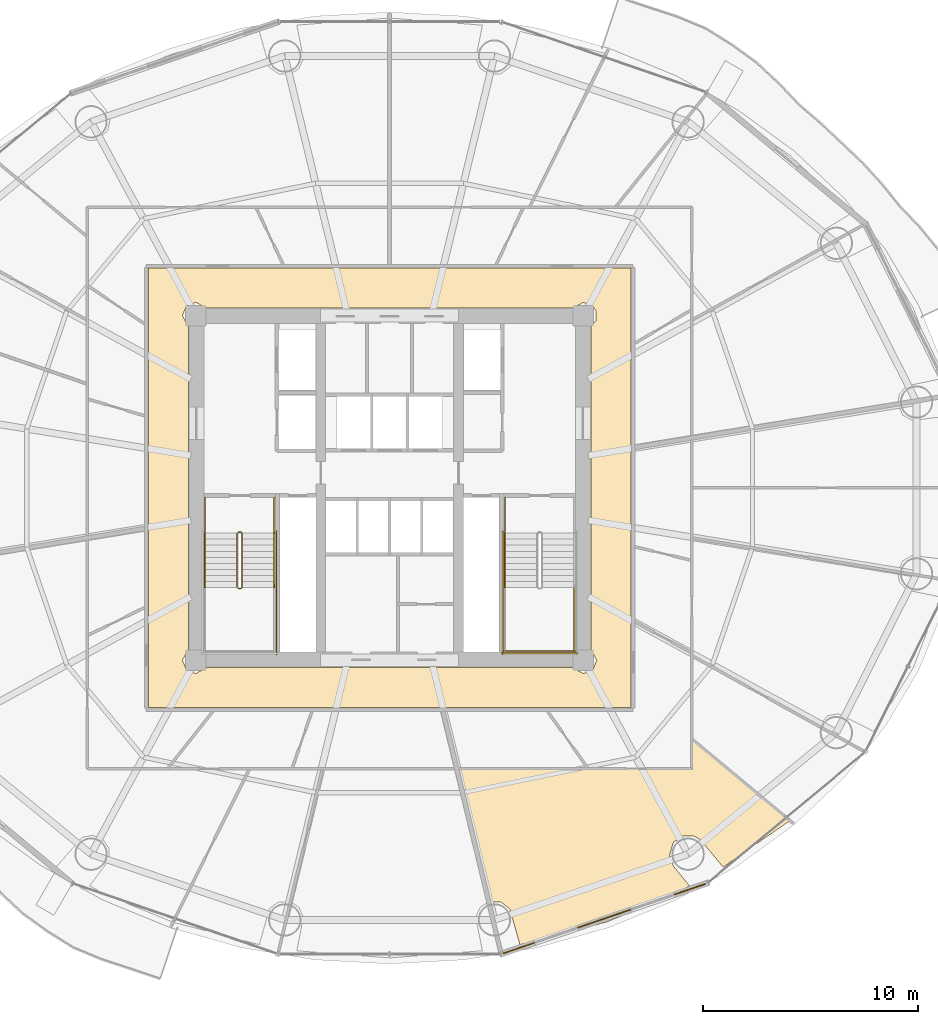
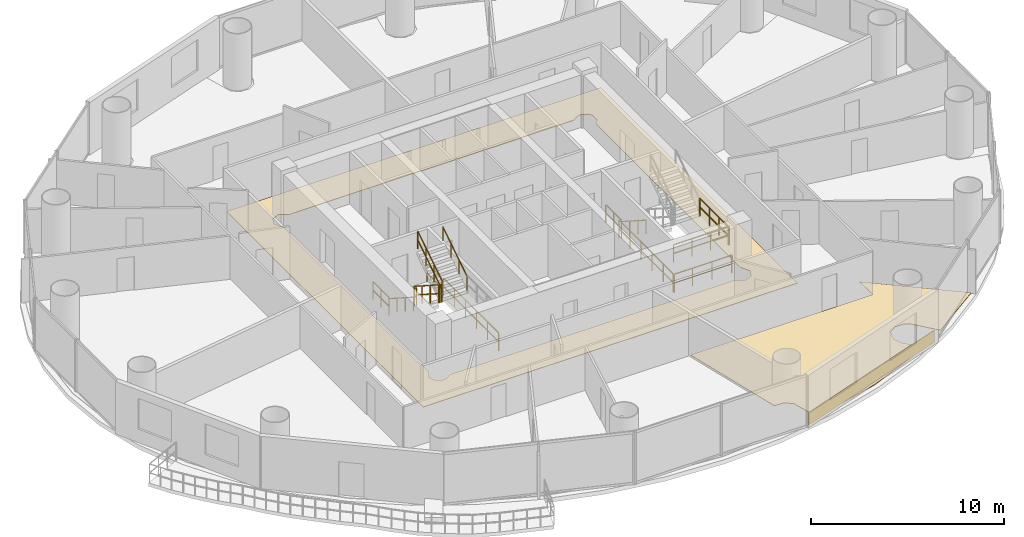
# One storey, part 27 of 29: 15 railings, 3 coverings.
"""IFC4 building model written with IfcOpenShell, lengths in metres."""

import ifcopenshell
import ifcopenshell.guid

model = None  # the IFC model being written
_history = None  # IfcOwnerHistory: only IFC2X3 demands one
_inside = {}  # id of a spatial element -> (the spatial element, [elements in it])
_under = {}  # id of a project, library or spatial element -> (it, [spatial elements below it])
_declared = {}  # id of a project -> (the project, [libraries it declares])
_typed = {}  # id of a type object -> (the type object, [elements of that type])
_made_of = {}  # id of a material, layer set ... -> (it, [elements and type objects made of it])


def new_model(schema):
    """Start an empty IFC model of exactly this schema.

    Asked for "IFC4X3", IfcOpenShell would pick the latest addendum, in which some entities
    have other attributes; the version numbers below select the first issue.
    IFC2X3 requires an IfcOwnerHistory on every rooted entity: one is made here for all.
    """
    global model, _history
    if schema == "IFC4X3":
        model = ifcopenshell.file(schema_version=(4, 3, 0, 0))
    else:
        model = ifcopenshell.file(schema=schema)
    _inside.clear()
    _under.clear()
    _declared.clear()
    _typed.clear()
    _made_of.clear()
    _history = None
    if model.schema == "IFC2X3":
        org = make("IfcOrganization", Name="unknown")
        user = make(
            "IfcPersonAndOrganization",
            ThePerson=make("IfcPerson", FamilyName="unknown"),
            TheOrganization=org,
        )
        app = make(
            "IfcApplication",
            ApplicationDeveloper=org,
            Version="unknown",
            ApplicationFullName="unknown",
            ApplicationIdentifier="unknown",
        )
        _history = make(
            "IfcOwnerHistory",
            OwningUser=user,
            OwningApplication=app,
            ChangeAction="ADDED",
            CreationDate=0,
        )
    return model


def make(cls, **values):
    """One entity of the class cls with the attributes given. An attribute that is None is left unset."""
    return model.create_entity(
        cls, **{name: value for name, value in values.items() if value is not None}
    )


def rooted(cls, **values):
    """An entity with a GlobalId (a new one), such as an element, a storey or a relation."""
    return make(cls, GlobalId=ifcopenshell.guid.new(), OwnerHistory=_history, **values)


def si_unit(unit_type, name, prefix=None):
    """IfcSIUnit, for example si_unit("LENGTHUNIT", "METRE", prefix="MILLI")."""
    return make("IfcSIUnit", UnitType=unit_type, Prefix=prefix, Name=name)


def assignment(units):
    """IfcUnitAssignment: the units of a project."""
    return None if units is None else make("IfcUnitAssignment", Units=units)


def point(xyz):
    """IfcCartesianPoint."""
    return None if xyz is None else make("IfcCartesianPoint", Coordinates=xyz)


def direction(xyz):
    """IfcDirection."""
    return None if xyz is None else make("IfcDirection", DirectionRatios=xyz)


def frame(location, z_axis=None, x_axis=None):
    """IfcAxis2Placement3D, a coordinate frame: its origin and axes. An axis left out is left unset."""
    return make(
        "IfcAxis2Placement3D",
        Location=point(location),
        Axis=direction(z_axis),
        RefDirection=direction(x_axis),
    )


def frame_2d(location, x_axis=None):
    """IfcAxis2Placement2D, a coordinate frame in the plane: its origin and x axis."""
    return make(
        "IfcAxis2Placement2D", Location=point(location), RefDirection=direction(x_axis)
    )


def origin():
    """The frame at (0, 0, 0) with its axes left unset."""
    return frame((0.0, 0.0, 0.0))


def origin_2d():
    """The frame at (0, 0) in the plane with its x axis left unset."""
    return frame_2d((0.0, 0.0))


def place(relative_to, where):
    """IfcLocalPlacement: puts the frame where relative to a parent placement (None: the world)."""
    return make(
        "IfcLocalPlacement", PlacementRelTo=relative_to, RelativePlacement=where
    )


def context(
    kind, dimensions, precision=None, world=None, true_north=None, identifier=None
):
    """IfcGeometricRepresentationContext, for example the 3D "Model" context."""
    return make(
        "IfcGeometricRepresentationContext",
        ContextIdentifier=identifier,
        ContextType=kind,
        CoordinateSpaceDimension=dimensions,
        Precision=precision,
        WorldCoordinateSystem=world,
        TrueNorth=true_north,
    )


def subcontext(parent, identifier, kind, view, scale=None):
    """IfcGeometricRepresentationSubContext, for example "Body" below "Model"."""
    return make(
        "IfcGeometricRepresentationSubContext",
        ContextIdentifier=identifier,
        ContextType=kind,
        ParentContext=parent,
        TargetScale=scale,
        TargetView=view,
    )


def project(units=None, contexts=None):
    """IfcProject with its units and contexts."""
    return rooted(
        "IfcProject",
        Name="project",
        RepresentationContexts=contexts,
        UnitsInContext=assignment(units),
    )


def spatial(cls, under=None, at=None, **own):
    """A site, building, storey or space (cls), placed at a placement, below another one or the project."""
    s = rooted(cls, ObjectPlacement=at, **own)
    if under is not None:
        _under.setdefault(under.id(), (under, []))[1].append(s)
    return s


def polyline(points):
    """IfcPolyline through the points."""
    return make("IfcPolyline", Points=[point(p) for p in points])


def profile(cls, at=None, kind="AREA", **sizes):
    """A parametric profile (cls). Its sizes go by their IFC names, for example OverallWidth=200.0."""
    return make(cls, ProfileType=kind, Position=at, **sizes)


def rectangle(**sizes):
    """IfcRectangleProfileDef."""
    return profile("IfcRectangleProfileDef", **sizes)


def outline(outer, holes=None, kind="AREA"):
    """IfcArbitraryClosedProfileDef: a profile drawn as a closed curve; with holes, ...WithVoids."""
    if holes is None:
        return make("IfcArbitraryClosedProfileDef", ProfileType=kind, OuterCurve=outer)
    return make(
        "IfcArbitraryProfileDefWithVoids",
        ProfileType=kind,
        OuterCurve=outer,
        InnerCurves=holes,
    )


def extrude(swept, where, along, depth):
    """IfcExtrudedAreaSolid: the profile swept, set in the frame where, extruded along a direction by depth."""
    return make(
        "IfcExtrudedAreaSolid",
        SweptArea=swept,
        Position=where,
        ExtrudedDirection=direction(along),
        Depth=depth,
    )


def shape(context_of_items, identifier, shape_type, items):
    """IfcShapeRepresentation: the items that make up one representation, for example the "Body"."""
    return make(
        "IfcShapeRepresentation",
        ContextOfItems=context_of_items,
        RepresentationIdentifier=identifier,
        RepresentationType=shape_type,
        Items=items,
    )


def source(mapping_origin, context_of_items, identifier, shape_type, items):
    """IfcRepresentationMap: a shape defined once, which mapped items show again and again."""
    return make(
        "IfcRepresentationMap",
        MappingOrigin=mapping_origin,
        MappedRepresentation=shape(context_of_items, identifier, shape_type, items),
    )


def transform(
    local_origin,
    x_axis=None,
    y_axis=None,
    z_axis=None,
    scale=None,
    scale2=None,
    scale3=None,
    uniform=True,
):
    """IfcCartesianTransformationOperator3D, or its non-uniform kind. x_axis, y_axis, z_axis: its Axis1, 2, 3."""
    if uniform:
        return make(
            "IfcCartesianTransformationOperator3D",
            Axis1=direction(x_axis),
            Axis2=direction(y_axis),
            LocalOrigin=point(local_origin),
            Scale=scale,
            Axis3=direction(z_axis),
        )
    return make(
        "IfcCartesianTransformationOperator3DnonUniform",
        Axis1=direction(x_axis),
        Axis2=direction(y_axis),
        LocalOrigin=point(local_origin),
        Scale=scale,
        Axis3=direction(z_axis),
        Scale2=scale2,
        Scale3=scale3,
    )


def mapped(mapping_source, mapping_target):
    """IfcMappedItem: shows the shape of a source again, moved by a transform."""
    return make(
        "IfcMappedItem", MappingSource=mapping_source, MappingTarget=mapping_target
    )


def material(Name=None, Category=None):
    """IfcMaterial."""
    return make("IfcMaterial", Name=Name, Category=Category)


def layer(
    of_material, thickness, ventilated=None, Name=None, Category=None, Priority=None
):
    """IfcMaterialLayer: one layer of a wall or slab, of a material (None: an air gap)."""
    return make(
        "IfcMaterialLayer",
        Material=of_material,
        LayerThickness=thickness,
        IsVentilated=ventilated,
        Name=Name,
        Category=Category,
        Priority=Priority,
    )


def layer_set(layers, Name=None):
    """IfcMaterialLayerSet."""
    return make("IfcMaterialLayerSet", MaterialLayers=layers, LayerSetName=Name)


def made_of(thing, what):
    """Note that an element or type object is made of a material, layer set ...; save() writes the relation."""
    if what is not None:
        _made_of.setdefault(what.id(), (what, []))[1].append(thing)
    return thing


def type_object(cls, material=None, **own):
    """A type object (cls), such as IfcWallType, which elements share."""
    return made_of(rooted(cls, **own), material)


def element(
    cls,
    number,
    at=None,
    inside=None,
    cuts=None,
    type_object=None,
    material=None,
    context=None,
    identifier="Body",
    shape_type=None,
    held_by="IfcProductDefinitionShape",
    body=None,
    shapes=None,
    **own,
):
    """One element of the class cls, such as IfcWall. Its Tag is "e" and its number.

    at: its placement. inside: the storey or other place that contains it. cuts: it is an
    opening in that element (IfcRelVoidsElement). A single representation is given by context,
    identifier, shape_type and body (its items); several are given by shapes. held_by: the class
    of the entity that holds the representations. save() writes the other relations.
    """
    e = rooted(cls, Tag="e%d" % number, ObjectPlacement=at, **own)
    if body is not None:
        shapes = [shape(context, identifier, shape_type, body)]
    if shapes is not None:
        e.Representation = make(held_by, Representations=shapes)
    if inside is not None:
        _inside.setdefault(inside.id(), (inside, []))[1].append(e)
    if cuts is not None:
        rooted(
            "IfcRelVoidsElement", RelatingBuildingElement=cuts, RelatedOpeningElement=e
        )
    if type_object is not None:
        _typed.setdefault(type_object.id(), (type_object, []))[1].append(e)
    return made_of(e, material)


def aggregate(whole, parts):
    """IfcRelAggregates: a whole, such as a stair, and the parts it consists of."""
    return rooted("IfcRelAggregates", RelatingObject=whole, RelatedObjects=parts)


def save(model, path):
    """Write the relations noted so far, then the file.

    IfcRelAggregates (storeys below a building ...), IfcRelContainedInSpatialStructure (elements
    in a storey), IfcRelDefinesByType, IfcRelAssociatesMaterial and IfcRelDeclares: one each for
    every whole, place, type object, material and project.
    """
    for whole, parts in _under.values():
        aggregate(whole, parts)
    for where, things in _inside.values():
        rooted(
            "IfcRelContainedInSpatialStructure",
            RelatedElements=things,
            RelatingStructure=where,
        )
    for kind, things in _typed.values():
        rooted("IfcRelDefinesByType", RelatedObjects=things, RelatingType=kind)
    for what, things in _made_of.values():
        rooted("IfcRelAssociatesMaterial", RelatedObjects=things, RelatingMaterial=what)
    for by, libraries in _declared.values():
        rooted("IfcRelDeclares", RelatingContext=by, RelatedDefinitions=libraries)
    model.write(path)


model = new_model("IFC4")

# Units and contexts
model_context = context("Model", 3, precision=1e-05, world=origin(), true_north=direction((-0.2419218956, 0.970295726276)))
body_context = subcontext(model_context, "Body", "Model", "MODEL_VIEW")
ifc_project = project(units=[si_unit("LENGTHUNIT", "METRE"), si_unit("AREAUNIT", "SQUARE_METRE"), si_unit("VOLUMEUNIT", "CUBIC_METRE"), si_unit("PLANEANGLEUNIT", "RADIAN"), si_unit("MASSUNIT", "GRAM", prefix="KILO")], contexts=[model_context])

# Site, building, storey
site_placement = place(None, origin())
site = spatial("IfcSite", under=ifc_project, at=site_placement, CompositionType="ELEMENT")
building_placement = place(site_placement, origin())
building = spatial("IfcBuilding", under=site, at=building_placement, Name="Cobrevalo Terracotta Tower", CompositionType="ELEMENT")
storey_placement = place(building_placement, frame((0.0, 0.0, 87.0)))
storey = spatial("IfcBuildingStorey", under=building, at=storey_placement, Name="L22", CompositionType="ELEMENT", Elevation=87.0)

# Coverings
ifc_material_1 = material(Name="Engineered Brazilian hardwood flooring", Category="wood")
ifc_layer_1 = layer(ifc_material_1, 0.028076171875)
ifc_layer_set_1 = layer_set([ifc_layer_1], Name="Engineered Brazilian hardwood flooring")
covering_type_1 = type_object("IfcCoveringType", Name="Engineered Hardwood Suite Flooring 28", PredefinedType="FLOORING", material=ifc_layer_set_1)
covering_1_placement = place(storey_placement, origin())
element("IfcCovering", 1, at=covering_1_placement, inside=storey, type_object=covering_type_1, Name="Flat L22D Penthouse Living and Dining Room floor finish", PredefinedType="FLOORING", context=body_context, shape_type="SweptSolid", body=[
    extrude(outline(polyline([(53.488525390625, 9.193359375), (52.422119140625, 10.474853515625), (52.11962890625, 10.6376953125), (51.608642578125, 10.639404296875), (51.18310546875, 10.35693359375), (50.9853515625, 9.713134765625), (51.1787109375, 9.2412109375), (51.92431640625, 8.32666015625), (51.161376953125, 7.904052734375), (48.073486328125, 6.641357421875), (44.05078125, 5.59814453125), (43.578125, 7.261962890625), (43.170166015625, 7.5693359375), (42.62109375, 7.584716796875), (41.146240234375, 13.7451171875), (52.054931640625, 13.7451171875), (52.054931640625, 15.0966796875), (56.57275390625, 11.34326171875), (53.488525390625, 9.193359375)])), origin(), (0.0, 0.0, 1.0), 0.030029296875),
])
ifc_material_2 = material(Name="Honed terracotta and granite tile", Category="masonry")
ifc_layer_2 = layer(ifc_material_2, 0.034912109375)
ifc_layer_set_2 = layer_set([ifc_layer_2], Name="Honed terracotta and granite tile")
covering_type_2 = type_object("IfcCoveringType", Name="Honed Terracotta & Granite Interior Flooring 35", PredefinedType="FLOORING", material=ifc_layer_set_2)
covering_2_placement = place(storey_placement, origin())
element("IfcCovering", 2, at=covering_2_placement, inside=storey, type_object=covering_type_2, Name="L22 Residential Floor Corridor floor finish", PredefinedType="FLOORING", context=body_context, shape_type="SweptSolid", body=[
    extrude(outline(polyline([(49.205078125, 37.0048828125), (49.205078125, 16.594970703125), (26.794921875, 16.594970703125), (26.794921875, 37.0048828125), (49.205078125, 37.0048828125)]), holes=[polyline([(47.344970703125, 34.298828125), (47.5732421875, 34.5625), (47.5732421875, 35.037353515625), (47.438720703125, 35.23876953125), (47.0, 35.42041015625), (46.498779296875, 35.14501953125), (29.501220703125, 35.14501953125), (29.0, 35.42041015625), (28.561279296875, 35.23876953125), (28.379638671875, 34.800048828125), (28.655029296875, 34.298828125), (28.655029296875, 19.30126953125), (28.379638671875, 18.800048828125), (28.561279296875, 18.361328125), (29.0, 18.1796875), (29.501220703125, 18.455078125), (46.498779296875, 18.455078125), (47.0, 18.1796875), (47.438720703125, 18.361328125), (47.620361328125, 18.800048828125), (47.344970703125, 19.30126953125), (47.344970703125, 34.298828125)])]), origin(), (0.0, 0.0, 1.0), 0.030029296875),
])

# Railings
ifc_material_3 = material(Name="Brushed stainless steel", Category="steel")
railing_type_1 = type_object("IfcRailingType", Name="Stainless Steel Stair Handrail 900", PredefinedType="HANDRAIL", material=ifc_material_3)
railing_1_placement = place(storey_placement, frame((29.425048828125, 24.699951171875, 0.179931640625)))
element("IfcRailing", 3, at=railing_1_placement, inside=storey, type_object=railing_type_1, Name="L22 ST-1 stair handrail 1", PredefinedType="HANDRAIL", context=body_context, shape_type="SweptSolid", body=[
    extrude(rectangle(XDim=0.048095703125, YDim=0.048095703125, at=origin_2d()), frame((0.0, 0.0, 0.8759765625), z_axis=(0.0, -0.841162588446, 0.540782303519), x_axis=(1.0, 0.0, 0.0)), (0.0, 0.0, 1.0), 2.995849609375),
    extrude(rectangle(XDim=0.0419921875, YDim=0.0419921875, at=origin_2d()), origin(), (0.0, 0.0, 1.0), 0.851806640625),
    extrude(rectangle(XDim=0.0419921875, YDim=0.0419921875, at=origin_2d()), frame((0.0, -0.840087890625, 0.5400390625)), (0.0, 0.0, 1.0), 0.851806640625),
    extrude(rectangle(XDim=0.0419921875, YDim=0.0419921875, at=origin_2d()), frame((0.0, -1.679931640625, 1.080078125)), (0.0, 0.0, 1.0), 0.851806640625),
    extrude(rectangle(XDim=0.0419921875, YDim=0.0419921875, at=origin_2d()), frame((0.0, -2.52001953125, 1.6201171875)), (0.0, 0.0, 1.0), 0.851806640625),
])
railing_2_placement = place(storey_placement, frame((32.64501953125, 22.179931640625, 1.97998046875)))
element("IfcRailing", 4, at=railing_2_placement, inside=storey, type_object=railing_type_1, Name="L22 ST-1 stair handrail 2", PredefinedType="HANDRAIL", context=body_context, shape_type="SweptSolid", body=[
    extrude(rectangle(XDim=0.048095703125, YDim=0.048095703125, at=origin_2d()), frame((0.0, 0.0, 0.8759765625), z_axis=(0.0, 0.841162588446, 0.540782303519), x_axis=(-1.0, 0.0, 0.0)), (0.0, 0.0, 1.0), 2.995849609375),
    extrude(rectangle(XDim=0.0419921875, YDim=0.0419921875, at=origin_2d()), origin(), (0.0, 0.0, 1.0), 0.851806640625),
    extrude(rectangle(XDim=0.0419921875, YDim=0.0419921875, at=origin_2d()), frame((0.0, 0.840087890625, 0.5400390625)), (0.0, 0.0, 1.0), 0.851806640625),
    extrude(rectangle(XDim=0.0419921875, YDim=0.0419921875, at=origin_2d()), frame((0.0, 1.679931640625, 1.080078125)), (0.0, 0.0, 1.0), 0.851806640625),
    extrude(rectangle(XDim=0.0419921875, YDim=0.0419921875, at=origin_2d()), frame((0.0, 2.52001953125, 1.6201171875)), (0.0, 0.0, 1.0), 0.851806640625),
])
railing_3_placement = place(storey_placement, frame((43.35498046875, 24.699951171875, 0.179931640625)))
element("IfcRailing", 5, at=railing_3_placement, inside=storey, type_object=railing_type_1, Name="L22 ST-2 stair handrail 1", PredefinedType="HANDRAIL", context=body_context, shape_type="SweptSolid", body=[
    extrude(rectangle(XDim=0.048095703125, YDim=0.048095703125, at=origin_2d()), frame((0.0, 0.0, 0.8759765625), z_axis=(0.0, -0.841162588446, 0.540782303519), x_axis=(1.0, 0.0, 0.0)), (0.0, 0.0, 1.0), 2.995849609375),
    extrude(rectangle(XDim=0.0419921875, YDim=0.0419921875, at=origin_2d()), origin(), (0.0, 0.0, 1.0), 0.851806640625),
    extrude(rectangle(XDim=0.0419921875, YDim=0.0419921875, at=origin_2d()), frame((0.0, -0.840087890625, 0.5400390625)), (0.0, 0.0, 1.0), 0.851806640625),
    extrude(rectangle(XDim=0.0419921875, YDim=0.0419921875, at=origin_2d()), frame((0.0, -1.679931640625, 1.080078125)), (0.0, 0.0, 1.0), 0.851806640625),
    extrude(rectangle(XDim=0.0419921875, YDim=0.0419921875, at=origin_2d()), frame((0.0, -2.52001953125, 1.6201171875)), (0.0, 0.0, 1.0), 0.851806640625),
])
ifc_material_4 = material(Name="Painted galvanized steel", Category="steel")
railing_type_2 = type_object("IfcRailingType", Name="Stair Well Guard Balustrade 1150", PredefinedType="GUARDRAIL", material=ifc_material_4)
railing_4_placement = place(storey_placement, frame((30.925048828125, 24.699951171875, 0.179931640625)))
element("IfcRailing", 6, at=railing_4_placement, inside=storey, type_object=railing_type_2, Name="L22 ST-1 stair guard 1", PredefinedType="GUARDRAIL", context=body_context, shape_type="SweptSolid", body=[
    extrude(rectangle(XDim=0.048095703125, YDim=0.048095703125, at=origin_2d()), frame((0.0, 0.0, 1.1259765625), z_axis=(0.0, -0.841162588446, 0.540782303519), x_axis=(1.0, 0.0, 0.0)), (0.0, 0.0, 1.0), 2.995849609375),
    extrude(rectangle(XDim=0.048095703125, YDim=0.048095703125, at=origin_2d()), frame((0.0, 0.0, 0.574951171875), z_axis=(0.0, -0.841162588446, 0.540782303519), x_axis=(1.0, 0.0, 0.0)), (0.0, 0.0, 1.0), 2.995849609375),
    extrude(rectangle(XDim=0.0419921875, YDim=0.0419921875, at=origin_2d()), origin(), (0.0, 0.0, 1.0), 1.101806640625),
    extrude(rectangle(XDim=0.0419921875, YDim=0.0419921875, at=origin_2d()), frame((0.0, -0.840087890625, 0.5400390625)), (0.0, 0.0, 1.0), 1.101806640625),
    extrude(rectangle(XDim=0.0419921875, YDim=0.0419921875, at=origin_2d()), frame((0.0, -1.679931640625, 1.080078125)), (0.0, 0.0, 1.0), 1.101806640625),
    extrude(rectangle(XDim=0.0419921875, YDim=0.0419921875, at=origin_2d()), frame((0.0, -2.52001953125, 1.6201171875)), (0.0, 0.0, 1.0), 1.101806640625),
])
railing_5_placement = place(storey_placement, frame((30.97509765625, 22.1298828125, 1.800048828125)))
element("IfcRailing", 7, at=railing_5_placement, inside=storey, type_object=railing_type_2, Name="L22 ST-1 stair guard 2", PredefinedType="GUARDRAIL", context=body_context, shape_type="SweptSolid", body=[
    extrude(rectangle(XDim=0.048095703125, YDim=0.048095703125, at=origin_2d()), frame((0.0, 0.0, 1.1259765625), z_axis=(1.0, 0.0, 0.0), x_axis=(0.0, 1.0, 0.0)), (0.0, 0.0, 1.0), 0.119873046875),
    extrude(rectangle(XDim=0.048095703125, YDim=0.048095703125, at=origin_2d()), frame((0.0, 0.0, 0.574951171875), z_axis=(1.0, 0.0, 0.0), x_axis=(0.0, 1.0, 0.0)), (0.0, 0.0, 1.0), 0.119873046875),
    extrude(rectangle(XDim=0.0419921875, YDim=0.0419921875, at=origin_2d()), origin(), (0.0, 0.0, 1.0), 1.101806640625),
    extrude(rectangle(XDim=0.0419921875, YDim=0.0419921875, at=origin_2d()), frame((0.119873046875, 0.0, 0.0)), (0.0, 0.0, 1.0), 1.101806640625),
])
railing_6_placement = place(storey_placement, frame((31.14501953125, 22.179931640625, 1.97998046875)))
element("IfcRailing", 8, at=railing_6_placement, inside=storey, type_object=railing_type_2, Name="L22 ST-1 stair guard 6", PredefinedType="GUARDRAIL", context=body_context, shape_type="SweptSolid", body=[
    extrude(rectangle(XDim=0.048095703125, YDim=0.048095703125, at=origin_2d()), frame((0.0, 0.0, 1.1259765625), z_axis=(0.0, 0.841162588446, 0.540782303519), x_axis=(-1.0, 0.0, 0.0)), (0.0, 0.0, 1.0), 2.995849609375),
    extrude(rectangle(XDim=0.048095703125, YDim=0.048095703125, at=origin_2d()), frame((0.0, 0.0, 0.574951171875), z_axis=(0.0, 0.841162588446, 0.540782303519), x_axis=(-1.0, 0.0, 0.0)), (0.0, 0.0, 1.0), 2.995849609375),
    extrude(rectangle(XDim=0.0419921875, YDim=0.0419921875, at=origin_2d()), origin(), (0.0, 0.0, 1.0), 1.101806640625),
    extrude(rectangle(XDim=0.0419921875, YDim=0.0419921875, at=origin_2d()), frame((0.0, 0.840087890625, 0.5400390625)), (0.0, 0.0, 1.0), 1.101806640625),
    extrude(rectangle(XDim=0.0419921875, YDim=0.0419921875, at=origin_2d()), frame((0.0, 1.679931640625, 1.080078125)), (0.0, 0.0, 1.0), 1.101806640625),
    extrude(rectangle(XDim=0.0419921875, YDim=0.0419921875, at=origin_2d()), frame((0.0, 2.52001953125, 1.6201171875)), (0.0, 0.0, 1.0), 1.101806640625),
])
railing_7_placement = place(storey_placement, frame((30.97509765625, 24.75, 0.0)))
element("IfcRailing", 9, at=railing_7_placement, inside=storey, type_object=railing_type_2, Name="L22 ST-1 stair guard 7", PredefinedType="GUARDRAIL", context=body_context, shape_type="SweptSolid", body=[
    extrude(rectangle(XDim=0.048095703125, YDim=0.048095703125, at=origin_2d()), frame((0.0, 0.0, 1.1259765625), z_axis=(1.0, 0.0, 0.0), x_axis=(0.0, 1.0, 0.0)), (0.0, 0.0, 1.0), 0.119873046875),
    extrude(rectangle(XDim=0.048095703125, YDim=0.048095703125, at=origin_2d()), frame((0.0, 0.0, 0.574951171875), z_axis=(1.0, 0.0, 0.0), x_axis=(0.0, 1.0, 0.0)), (0.0, 0.0, 1.0), 0.119873046875),
    extrude(rectangle(XDim=0.0419921875, YDim=0.0419921875, at=origin_2d()), origin(), (0.0, 0.0, 1.0), 1.101806640625),
    extrude(rectangle(XDim=0.0419921875, YDim=0.0419921875, at=origin_2d()), frame((0.119873046875, 0.0, 0.0)), (0.0, 0.0, 1.0), 1.101806640625),
])
for number, where, name in (
    (10, (29.425048828125, 26.35009765625, 0.0), "L22 ST-1 stair guard 8"),
    (11, (32.64501953125, 26.35009765625, 0.0), "L22 ST-1 stair guard 9"),
):
    element("IfcRailing", number, at=place(storey_placement, frame(where)), inside=storey, type_object=railing_type_2, Name=name, PredefinedType="GUARDRAIL", context=body_context, shape_type="SweptSolid", body=[
        extrude(rectangle(XDim=0.048095703125, YDim=0.048095703125, at=origin_2d()), frame((0.0, 0.0, 1.1259765625), z_axis=(0.0, -1.0, 0.0), x_axis=(1.0, 0.0, 0.0)), (0.0, 0.0, 1.0), 1.650146484375),
        extrude(rectangle(XDim=0.048095703125, YDim=0.048095703125, at=origin_2d()), frame((0.0, 0.0, 0.574951171875), z_axis=(0.0, -1.0, 0.0), x_axis=(1.0, 0.0, 0.0)), (0.0, 0.0, 1.0), 1.650146484375),
        extrude(rectangle(XDim=0.0419921875, YDim=0.0419921875, at=origin_2d()), origin(), (0.0, 0.0, 1.0), 1.101806640625),
        extrude(rectangle(XDim=0.0419921875, YDim=0.0419921875, at=origin_2d()), frame((0.0, -0.8251953125, 0.0)), (0.0, 0.0, 1.0), 1.101806640625),
        extrude(rectangle(XDim=0.0419921875, YDim=0.0419921875, at=origin_2d()), frame((0.0, -1.650146484375, 0.0)), (0.0, 0.0, 1.0), 1.101806640625),
    ])
railing_8_placement = place(storey_placement, frame((32.7451171875, 24.800048828125, 0.0)))
element("IfcRailing", 12, at=railing_8_placement, inside=storey, type_object=railing_type_2, Name="L22 ST-1 stair guard 11", PredefinedType="GUARDRAIL", context=body_context, shape_type="SweptSolid", body=[
    extrude(rectangle(XDim=0.048095703125, YDim=0.048095703125, at=origin_2d()), frame((0.0, 0.0, 1.1259765625), z_axis=(0.0, -1.0, 0.0), x_axis=(1.0, 0.0, 0.0)), (0.0, 0.0, 1.0), 5.72509765625),
    extrude(rectangle(XDim=0.048095703125, YDim=0.048095703125, at=origin_2d()), frame((0.0, 0.0, 0.574951171875), z_axis=(0.0, -1.0, 0.0), x_axis=(1.0, 0.0, 0.0)), (0.0, 0.0, 1.0), 5.72509765625),
    extrude(rectangle(XDim=0.0419921875, YDim=0.0419921875, at=origin_2d()), origin(), (0.0, 0.0, 1.0), 1.101806640625),
    extrude(rectangle(XDim=0.0419921875, YDim=0.0419921875, at=origin_2d()), frame((0.0, -1.14501953125, 0.0)), (0.0, 0.0, 1.0), 1.101806640625),
    extrude(rectangle(XDim=0.0419921875, YDim=0.0419921875, at=origin_2d()), frame((0.0, -2.2900390625, 0.0)), (0.0, 0.0, 1.0), 1.101806640625),
    extrude(rectangle(XDim=0.0419921875, YDim=0.0419921875, at=origin_2d()), frame((0.0, -3.43505859375, 0.0)), (0.0, 0.0, 1.0), 1.101806640625),
    extrude(rectangle(XDim=0.0419921875, YDim=0.0419921875, at=origin_2d()), frame((0.0, -4.580078125, 0.0)), (0.0, 0.0, 1.0), 1.101806640625),
    extrude(rectangle(XDim=0.0419921875, YDim=0.0419921875, at=origin_2d()), frame((0.0, -5.72509765625, 0.0)), (0.0, 0.0, 1.0), 1.101806640625),
])
railing_9_placement = place(storey_placement, frame((46.574951171875, 22.179931640625, 1.800048828125)))
element("IfcRailing", 13, at=railing_9_placement, inside=storey, type_object=railing_type_2, Name="L22 ST-2 stair guard 4", PredefinedType="GUARDRAIL", context=body_context, shape_type="SweptSolid", body=[
    extrude(rectangle(XDim=0.048095703125, YDim=0.048095703125, at=origin_2d()), frame((0.0, 0.0, 1.1259765625), z_axis=(0.0, -1.0, 0.0), x_axis=(1.0, 0.0, 0.0)), (0.0, 0.0, 1.0), 3.0048828125),
    extrude(rectangle(XDim=0.048095703125, YDim=0.048095703125, at=origin_2d()), frame((0.0, 0.0, 0.574951171875), z_axis=(0.0, -1.0, 0.0), x_axis=(1.0, 0.0, 0.0)), (0.0, 0.0, 1.0), 3.0048828125),
    extrude(rectangle(XDim=0.0419921875, YDim=0.0419921875, at=origin_2d()), origin(), (0.0, 0.0, 1.0), 1.101806640625),
    extrude(rectangle(XDim=0.0419921875, YDim=0.0419921875, at=origin_2d()), frame((0.0, -1.001708984375, 0.0)), (0.0, 0.0, 1.0), 1.101806640625),
    extrude(rectangle(XDim=0.0419921875, YDim=0.0419921875, at=origin_2d()), frame((0.0, -2.003173828125, 0.0)), (0.0, 0.0, 1.0), 1.101806640625),
    extrude(rectangle(XDim=0.0419921875, YDim=0.0419921875, at=origin_2d()), frame((0.0, -3.0048828125, 0.0)), (0.0, 0.0, 1.0), 1.101806640625),
])
railing_10_placement = place(storey_placement, frame((43.304931640625, 19.22509765625, 1.800048828125)))
element("IfcRailing", 14, at=railing_10_placement, inside=storey, type_object=railing_type_2, Name="L22 ST-2 stair guard 5", PredefinedType="GUARDRAIL", context=body_context, shape_type="SweptSolid", body=[
    extrude(rectangle(XDim=0.048095703125, YDim=0.048095703125, at=origin_2d()), frame((0.0, 0.0, 1.1259765625), z_axis=(1.0, 0.0, 0.0), x_axis=(0.0, 1.0, 0.0)), (0.0, 0.0, 1.0), 3.320068359375),
    extrude(rectangle(XDim=0.048095703125, YDim=0.048095703125, at=origin_2d()), frame((0.0, 0.0, 0.574951171875), z_axis=(1.0, 0.0, 0.0), x_axis=(0.0, 1.0, 0.0)), (0.0, 0.0, 1.0), 3.320068359375),
    extrude(rectangle(XDim=0.0419921875, YDim=0.0419921875, at=origin_2d()), origin(), (0.0, 0.0, 1.0), 1.101806640625),
    extrude(rectangle(XDim=0.0419921875, YDim=0.0419921875, at=origin_2d()), frame((1.106689453125, 0.0, 0.0)), (0.0, 0.0, 1.0), 1.101806640625),
    extrude(rectangle(XDim=0.0419921875, YDim=0.0419921875, at=origin_2d()), frame((2.21337890625, 0.0, 0.0)), (0.0, 0.0, 1.0), 1.101806640625),
    extrude(rectangle(XDim=0.0419921875, YDim=0.0419921875, at=origin_2d()), frame((3.320068359375, 0.0, 0.0)), (0.0, 0.0, 1.0), 1.101806640625),
])
railing_11_placement = place(storey_placement, frame((43.35498046875, 26.35009765625, 0.0)))
element("IfcRailing", 15, at=railing_11_placement, inside=storey, type_object=railing_type_2, Name="L22 ST-2 stair guard 8", PredefinedType="GUARDRAIL", context=body_context, shape_type="SweptSolid", body=[
    extrude(rectangle(XDim=0.048095703125, YDim=0.048095703125, at=origin_2d()), frame((0.0, 0.0, 1.1259765625), z_axis=(0.0, -1.0, 0.0), x_axis=(1.0, 0.0, 0.0)), (0.0, 0.0, 1.0), 1.650146484375),
    extrude(rectangle(XDim=0.048095703125, YDim=0.048095703125, at=origin_2d()), frame((0.0, 0.0, 0.574951171875), z_axis=(0.0, -1.0, 0.0), x_axis=(1.0, 0.0, 0.0)), (0.0, 0.0, 1.0), 1.650146484375),
    extrude(rectangle(XDim=0.0419921875, YDim=0.0419921875, at=origin_2d()), origin(), (0.0, 0.0, 1.0), 1.101806640625),
    extrude(rectangle(XDim=0.0419921875, YDim=0.0419921875, at=origin_2d()), frame((0.0, -0.8251953125, 0.0)), (0.0, 0.0, 1.0), 1.101806640625),
    extrude(rectangle(XDim=0.0419921875, YDim=0.0419921875, at=origin_2d()), frame((0.0, -1.650146484375, 0.0)), (0.0, 0.0, 1.0), 1.101806640625),
])
railing_12_placement = place(storey_placement, frame((43.2548828125, 24.800048828125, 0.0)))
element("IfcRailing", 16, at=railing_12_placement, inside=storey, type_object=railing_type_2, Name="L22 ST-2 stair guard 10", PredefinedType="GUARDRAIL", context=body_context, shape_type="SweptSolid", body=[
    extrude(rectangle(XDim=0.048095703125, YDim=0.048095703125, at=origin_2d()), frame((0.0, 0.0, 1.1259765625), z_axis=(0.0, -1.0, 0.0), x_axis=(1.0, 0.0, 0.0)), (0.0, 0.0, 1.0), 5.72509765625),
    extrude(rectangle(XDim=0.048095703125, YDim=0.048095703125, at=origin_2d()), frame((0.0, 0.0, 0.574951171875), z_axis=(0.0, -1.0, 0.0), x_axis=(1.0, 0.0, 0.0)), (0.0, 0.0, 1.0), 5.72509765625),
    extrude(rectangle(XDim=0.0419921875, YDim=0.0419921875, at=origin_2d()), origin(), (0.0, 0.0, 1.0), 1.101806640625),
    extrude(rectangle(XDim=0.0419921875, YDim=0.0419921875, at=origin_2d()), frame((0.0, -1.14501953125, 0.0)), (0.0, 0.0, 1.0), 1.101806640625),
    extrude(rectangle(XDim=0.0419921875, YDim=0.0419921875, at=origin_2d()), frame((0.0, -2.2900390625, 0.0)), (0.0, 0.0, 1.0), 1.101806640625),
    extrude(rectangle(XDim=0.0419921875, YDim=0.0419921875, at=origin_2d()), frame((0.0, -3.43505859375, 0.0)), (0.0, 0.0, 1.0), 1.101806640625),
    extrude(rectangle(XDim=0.0419921875, YDim=0.0419921875, at=origin_2d()), frame((0.0, -4.580078125, 0.0)), (0.0, 0.0, 1.0), 1.101806640625),
    extrude(rectangle(XDim=0.0419921875, YDim=0.0419921875, at=origin_2d()), frame((0.0, -5.72509765625, 0.0)), (0.0, 0.0, 1.0), 1.101806640625),
])
railing_13_placement = place(storey_placement, frame((43.205078125, 19.125, 0.0)))
element("IfcRailing", 17, at=railing_13_placement, inside=storey, type_object=railing_type_2, Name="L22 ST-2 stair guard 12", PredefinedType="GUARDRAIL", context=body_context, shape_type="SweptSolid", body=[
    extrude(rectangle(XDim=0.048095703125, YDim=0.048095703125, at=origin_2d()), frame((0.0, 0.0, 1.1259765625), z_axis=(1.0, 0.0, 0.0), x_axis=(0.0, 1.0, 0.0)), (0.0, 0.0, 1.0), 3.52001953125),
    extrude(rectangle(XDim=0.048095703125, YDim=0.048095703125, at=origin_2d()), frame((0.0, 0.0, 0.574951171875), z_axis=(1.0, 0.0, 0.0), x_axis=(0.0, 1.0, 0.0)), (0.0, 0.0, 1.0), 3.52001953125),
    extrude(rectangle(XDim=0.0419921875, YDim=0.0419921875, at=origin_2d()), origin(), (0.0, 0.0, 1.0), 1.101806640625),
    extrude(rectangle(XDim=0.0419921875, YDim=0.0419921875, at=origin_2d()), frame((1.17333984375, 0.0, 0.0)), (0.0, 0.0, 1.0), 1.101806640625),
    extrude(rectangle(XDim=0.0419921875, YDim=0.0419921875, at=origin_2d()), frame((2.3466796875, 0.0, 0.0)), (0.0, 0.0, 1.0), 1.101806640625),
    extrude(rectangle(XDim=0.0419921875, YDim=0.0419921875, at=origin_2d()), frame((3.52001953125, 0.0, 0.0)), (0.0, 0.0, 1.0), 1.101806640625),
])

# Covering
ifc_material_5 = material(Name="Glazed terracotta facade cladding tile", Category="masonry")
ifc_layer_3 = layer(ifc_material_5, 0.044921875)
ifc_layer_set_3 = layer_set([ifc_layer_3], Name="Glazed terracotta facade cladding tile")
covering_type_3 = type_object("IfcCoveringType", Name="Architectural terracotta rainscreen spandrel cladding 45 mm", PredefinedType="CLADDING", material=ifc_layer_set_3)
shared_shape = source(origin(), body_context, "Body", "SweptSolid", [
    extrude(rectangle(XDim=9.928955078125, YDim=0.044921875, at=origin_2d()), origin(), (0.0, 0.0, 1.0), 0.760009765625),
])
covering_3_placement = place(storey_placement, frame((47.972412109375, 6.8017578125, 0.0400390625), z_axis=(0.0, 0.0, 1.0), x_axis=(0.945596395206, 0.325342062104, 0.0)))
element("IfcCovering", 18, at=covering_3_placement, inside=storey, type_object=covering_type_3, Name="L22 terracotta spandrel cladding S13", PredefinedType="CLADDING", context=body_context, shape_type="MappedRepresentation", body=[
    mapped(shared_shape, transform((0.0, 0.0, 0.0), scale=1.0)),
])

save(model, "model.ifc")
